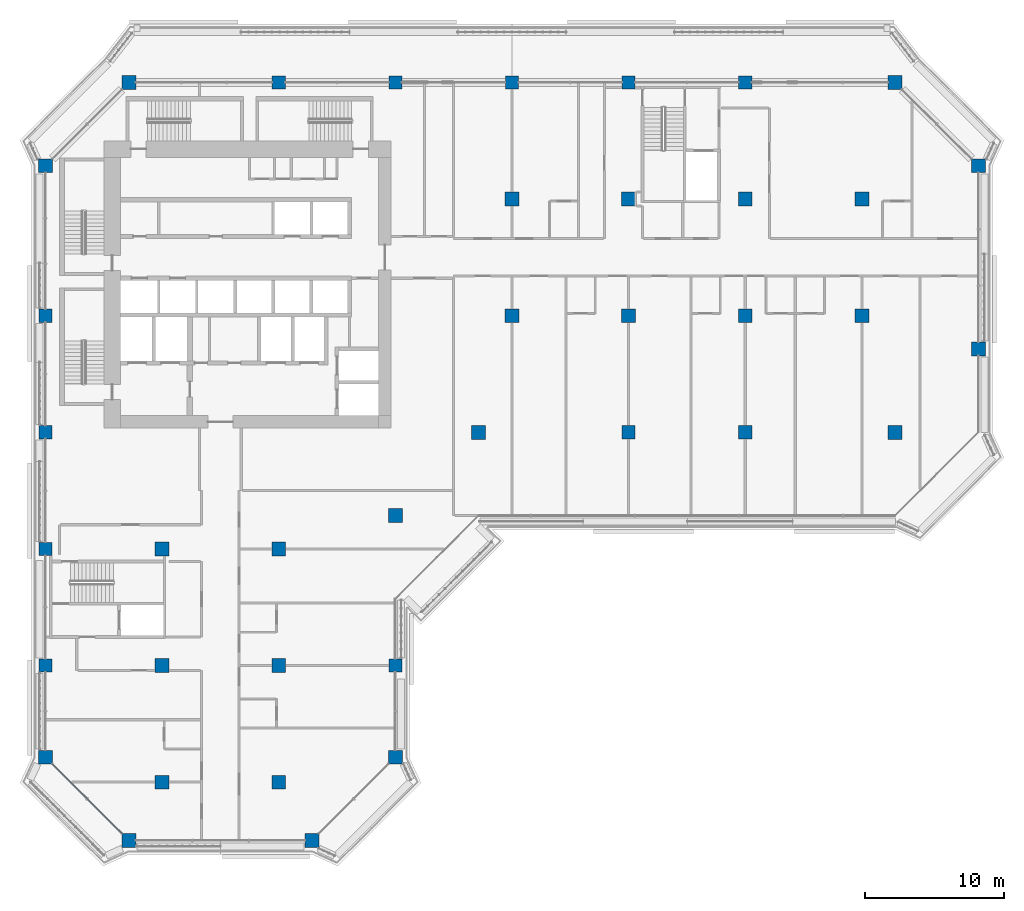
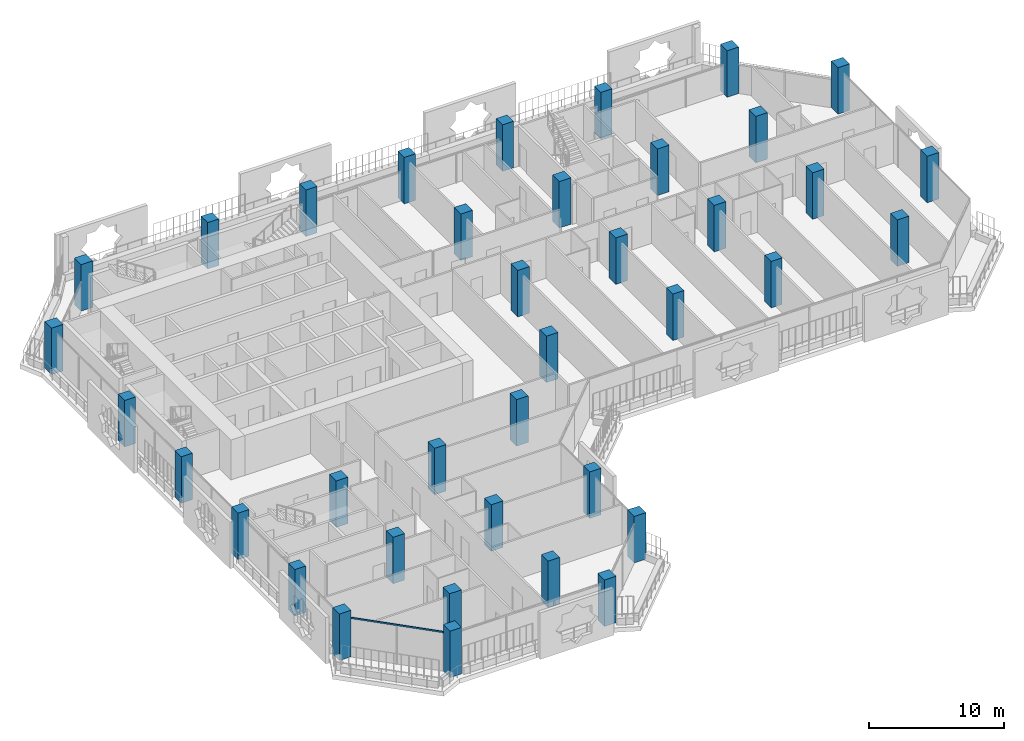
# One storey, part 1 of 21: 38 columns, 1 member, 1 element without a shape of its own.
"""IFC4 building model written with IfcOpenShell, lengths in metres."""

from ifc_helpers import new_model, si_unit, direction, frame, origin, origin_2d, place, context, subcontext, project, spatial, rectangle, extrude, material, layer, layer_set, material_profile, profile_set, type_object, element, aggregate, save


model = new_model("IFC4")

# Units and contexts
model_context = context("Model", 3, precision=1e-05, world=origin(), true_north=direction((0.0, 1.0)))
body_context = subcontext(model_context, "Body", "Model", "MODEL_VIEW")
ifc_project = project(units=[si_unit("LENGTHUNIT", "METRE"), si_unit("AREAUNIT", "SQUARE_METRE"), si_unit("VOLUMEUNIT", "CUBIC_METRE"), si_unit("PLANEANGLEUNIT", "RADIAN"), si_unit("MASSUNIT", "GRAM", prefix="KILO")], contexts=[model_context])

# Site, building, storey
site_placement = place(None, origin())
site = spatial("IfcSite", under=ifc_project, at=site_placement, CompositionType="ELEMENT")
building_placement = place(site_placement, origin())
building = spatial("IfcBuilding", under=site, at=building_placement, Name="Kawkab Arch Medical Tower", CompositionType="ELEMENT")
storey_placement = place(building_placement, frame((0.0, 0.0, 192.0)))
storey = spatial("IfcBuildingStorey", under=building, at=storey_placement, Name="L44", CompositionType="ELEMENT", Elevation=192.0)

# Columns
ifc_material_1 = material(Name="Concrete C50/60", Category="concrete")
ifc_material_profile_1 = material_profile(ifc_material_1, rectangle(XDim=1.0, YDim=1.0, at=origin_2d()), Name="RC 1000x1000")
ifc_profile_set_1 = profile_set([ifc_material_profile_1], Name="Concrete C50/60")
column_type_1 = type_object("IfcColumnType", Name="RC 1000x1000 column C50/60", PredefinedType="COLUMN", material=ifc_profile_set_1)
for number, where, z_axis, x_axis, name in (
    (1, (6.0, 0.0, 0.0), (0.0, 0.0, 1.0), (1.0, 0.0, 0.0), "Column RC 1000x1000"),
    (2, (61.199951171875, 0.0, 0.0), (0.0, 0.0, 1.0), (1.0, 0.0, 0.0), "Column RC 1000x1000"),
    (3, (0.0, -6.0, 0.0), (0.0, 0.0, 1.0), (1.0, 0.0, 0.0), "Column RC 1000x1000"),
    (4, (67.199951171875, -6.0, 0.0), (0.0, 0.0, 1.0), (1.0, 0.0, 0.0), "Column RC 1000x1000"),
    (5, (33.60009765625, -8.39990234375, 0.0), (0.0, 0.0, 1.0), (1.0, 0.0, 0.0), "Column RC 1000x1000"),
    (6, (42.0, -8.39990234375, 0.0), (0.0, 0.0, 1.0), (1.0, 0.0, 0.0), "Column RC 1000x1000"),
    (7, (50.39990234375, -8.39990234375, 0.0), (0.0, 0.0, 1.0), (1.0, 0.0, 0.0), "Column RC 1000x1000"),
    (8, (58.800048828125, -8.39990234375, 0.0), (0.0, 0.0, 1.0), (1.0, 0.0, 0.0), "Column RC 1000x1000"),
    (9, (33.60009765625, -16.800048828125, 0.0), (0.0, 0.0, 1.0), (1.0, 0.0, 0.0), "Column RC 1000x1000"),
    (10, (42.0, -16.800048828125, 0.0), (0.0, 0.0, 1.0), (1.0, 0.0, 0.0), "Column RC 1000x1000"),
    (11, (50.39990234375, -16.800048828125, 0.0), (0.0, 0.0, 1.0), (1.0, 0.0, 0.0), "Column RC 1000x1000"),
    (12, (58.800048828125, -16.800048828125, 0.0), (0.0, 0.0, 1.0), (1.0, 0.0, 0.0), "Column RC 1000x1000"),
    (13, (67.199951171875, -19.199951171875, 0.0), (0.0, 0.0, 1.0), (1.0, 0.0, 0.0), "Column RC 1000x1000"),
    (14, (31.199951171875, -25.199951171875, 0.0), (0.0, 0.0, 1.0), (1.0, 0.0, 0.0), "Column RC 1000x1000"),
    (15, (61.199951171875, -25.199951171875, 0.0), (0.0, 0.0, 1.0), (1.0, 0.0, 0.0), "Column RC 1000x1000"),
    (16, (25.199951171875, -31.199951171875, 0.0), (0.0, 0.0, 1.0), (1.0, 0.0, 0.0), "Column RC 1000x1000"),
    (17, (8.39990234375, -33.60009765625, 0.0), (0.0, 0.0, 1.0), (1.0, 0.0, 0.0), "Column RC 1000x1000"),
    (18, (16.800048828125, -33.60009765625, 0.0), (0.0, 0.0, 1.0), (1.0, 0.0, 0.0), "Column RC 1000x1000"),
    (19, (8.39990234375, -42.0, 0.0), (0.0, 0.0, 1.0), (1.0, 0.0, 0.0), "Column RC 1000x1000"),
    (20, (16.800048828125, -42.0, 0.0), (0.0, 0.0, 1.0), (1.0, 0.0, 0.0), "Column RC 1000x1000"),
    (21, (0.0, -48.60009765625, 0.0), (0.0, 0.0, 1.0), (1.0, 0.0, 0.0), "Column RC 1000x1000"),
    (22, (25.199951171875, -48.60009765625, 0.0), (0.0, 0.0, 1.0), (1.0, 0.0, 0.0), "Column RC 1000x1000"),
    (23, (8.39990234375, -50.39990234375, 0.0), (0.0, 0.0, 1.0), (1.0, 0.0, 0.0), "Column RC 1000x1000"),
    (24, (16.800048828125, -50.39990234375, 0.0), (0.0, 0.0, 1.0), (1.0, 0.0, 0.0), "Column RC 1000x1000"),
    (25, (6.0, -54.60009765625, 0.0), (0.0, 0.0, 1.0), (1.0, 0.0, 0.0), "Column RC 1000x1000"),
    (26, (19.199951171875, -54.60009765625, 0.0), (0.0, 0.0, 1.0), (1.0, 0.0, 0.0), "Column RC 1000x1000"),
):
    element("IfcColumn", number, at=place(storey_placement, frame(where, z_axis=z_axis, x_axis=x_axis)), inside=storey, type_object=column_type_1, Name=name, PredefinedType="COLUMN", context=body_context, shape_type="SweptSolid", body=[
        extrude(rectangle(XDim=1.0, YDim=1.0, at=origin_2d()), origin(), (0.0, 0.0, 1.0), 4.199951171875),
    ])
ifc_material_2 = material(Name="Concrete C50/60", Category="concrete")
ifc_material_profile_2 = material_profile(ifc_material_2, rectangle(XDim=0.949951171875, YDim=0.949951171875, at=origin_2d()), Name="RC 950x950")
ifc_profile_set_2 = profile_set([ifc_material_profile_2], Name="Concrete C50/60")
column_type_2 = type_object("IfcColumnType", Name="RC 950x950 column C50/60", PredefinedType="COLUMN", material=ifc_profile_set_2)
for number, where, z_axis, x_axis, name in (
    (27, (16.800048828125, 0.0, 0.0), (0.0, 0.0, 1.0), (1.0, 0.0, 0.0), "Column RC 950x950"),
    (28, (25.199951171875, 0.0, 0.0), (0.0, 0.0, 1.0), (1.0, 0.0, 0.0), "Column RC 950x950"),
    (29, (33.60009765625, 0.0, 0.0), (0.0, 0.0, 1.0), (1.0, 0.0, 0.0), "Column RC 950x950"),
    (30, (42.0, 0.0, 0.0), (0.0, 0.0, 1.0), (1.0, 0.0, 0.0), "Column RC 950x950"),
    (31, (50.39990234375, 0.0, 0.0), (0.0, 0.0, 1.0), (1.0, 0.0, 0.0), "Column RC 950x950"),
    (32, (0.0, -16.800048828125, 0.0), (0.0, 0.0, 1.0), (1.0, 0.0, 0.0), "Column RC 950x950"),
    (33, (0.0, -25.199951171875, 0.0), (0.0, 0.0, 1.0), (1.0, 0.0, 0.0), "Column RC 950x950"),
    (34, (42.0, -25.199951171875, 0.0), (0.0, 0.0, 1.0), (1.0, 0.0, 0.0), "Column RC 950x950"),
    (35, (50.39990234375, -25.199951171875, 0.0), (0.0, 0.0, 1.0), (1.0, 0.0, 0.0), "Column RC 950x950"),
    (36, (0.0, -33.60009765625, 0.0), (0.0, 0.0, 1.0), (1.0, 0.0, 0.0), "Column RC 950x950"),
    (37, (0.0, -42.0, 0.0), (0.0, 0.0, 1.0), (1.0, 0.0, 0.0), "Column RC 950x950"),
    (38, (25.199951171875, -42.0, 0.0), (0.0, 0.0, 1.0), (1.0, 0.0, 0.0), "Column RC 950x950"),
):
    element("IfcColumn", number, at=place(storey_placement, frame(where, z_axis=z_axis, x_axis=x_axis)), inside=storey, type_object=column_type_2, Name=name, PredefinedType="COLUMN", context=body_context, shape_type="SweptSolid", body=[
        extrude(rectangle(XDim=0.949951171875, YDim=0.949951171875, at=origin_2d()), origin(), (0.0, 0.0, 1.0), 4.199951171875),
    ])

# Curtain wall, member
ifc_material_3 = material(Name="Bronze anodised aluminium curtain wall frame", Category="aluminium")
ifc_layer = layer(ifc_material_3, 0.159912109375)
ifc_layer_set = layer_set([ifc_layer], Name="Bronze anodised aluminium curtain wall frame")
curtain_wall_type = type_object("IfcCurtainWallType", Name="CW2 chamfer curtain wall", PredefinedType="NOTDEFINED", material=ifc_layer_set)
curtain_wall_placement = place(storey_placement, origin())
curtain_wall = element("IfcCurtainWall", 39, at=curtain_wall_placement, inside=storey, type_object=curtain_wall_type, Name="CW2 Chamfer curtain wall R02", PredefinedType="NOTDEFINED")
ifc_material_4 = material(Name="Bronze anodised aluminium curtain wall frame", Category="aluminium")
ifc_material_profile_3 = material_profile(ifc_material_4, rectangle(XDim=0.06005859375, YDim=0.139892578125, at=origin_2d()), Name="AL 60x140")
ifc_profile_set_3 = profile_set([ifc_material_profile_3], Name="Bronze anodised aluminium curtain wall frame")
member_type = type_object("IfcMemberType", Name="CW2 transom 140 x 60", PredefinedType="USERDEFINED", material=ifc_profile_set_3)
member_placement = place(storey_placement, frame((0.5, -49.10009765625, 3.530029296875), z_axis=(0.707106781187, -0.707106781187, 0.0), x_axis=(0.707106781187, 0.707106781187, 0.0)))
member = element("IfcMember", 40, at=member_placement, type_object=member_type, Name="CW2 transom 1", ObjectType="TRANSOM", PredefinedType="USERDEFINED", context=body_context, shape_type="SweptSolid", body=[
    extrude(rectangle(XDim=0.06005859375, YDim=0.139892578125, at=origin_2d()), origin(), (0.0, 0.0, 1.0), 7.071044921875),
])
aggregate(curtain_wall, [member])

save(model, "model.ifc")
